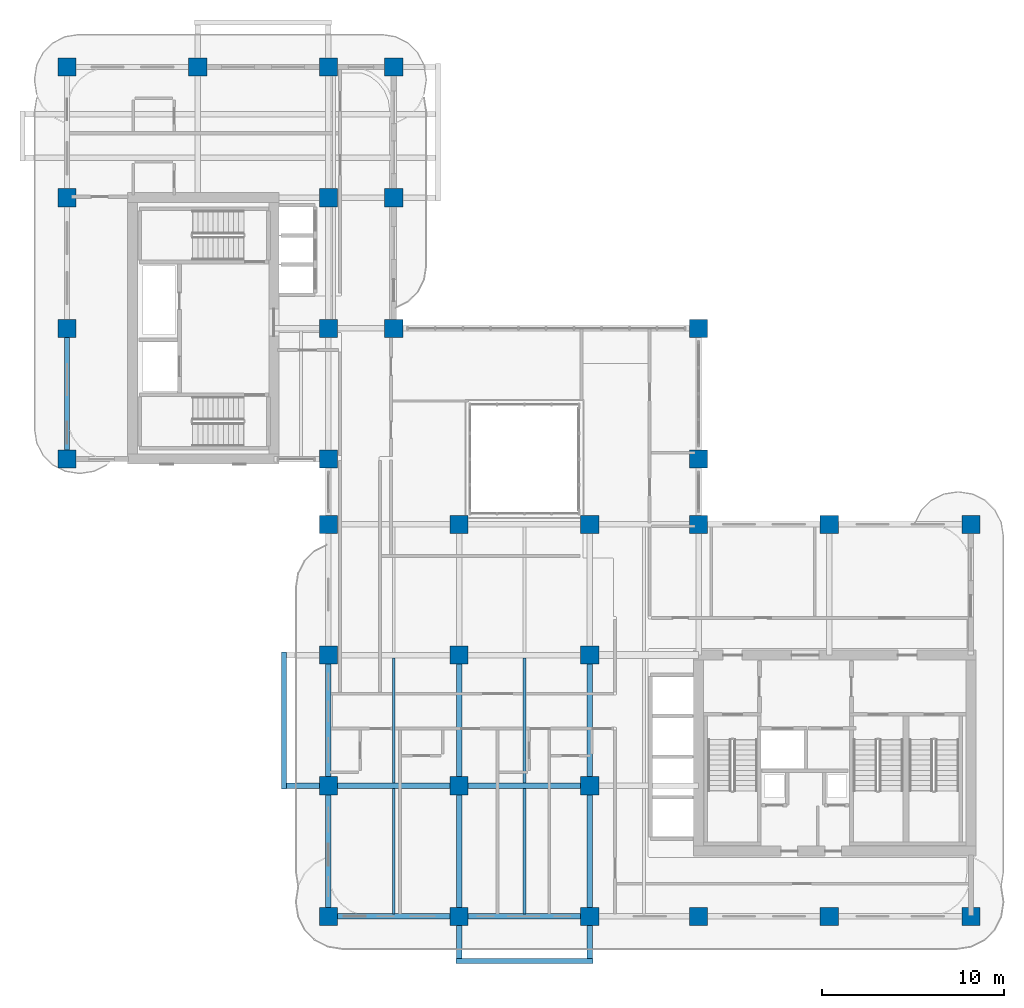
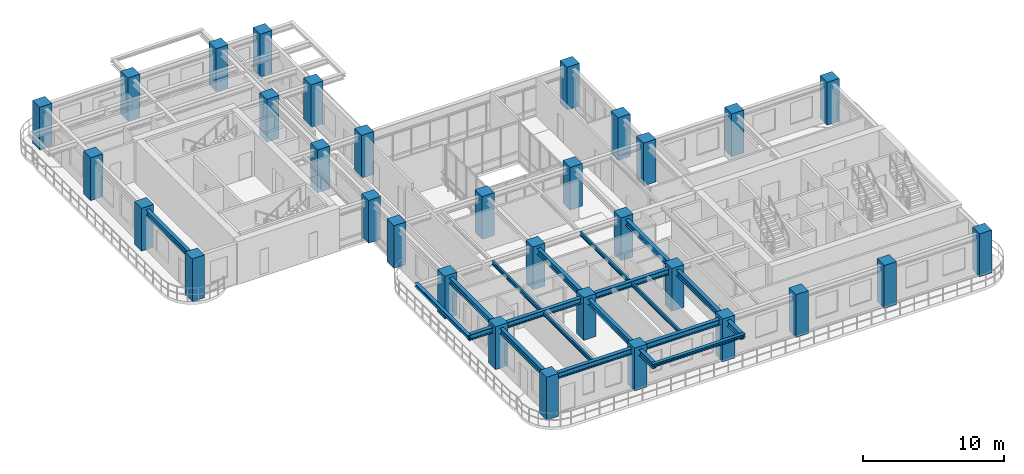
# One storey, part 1 of 20: 32 columns, 17 beams.
"""IFC4 building model written with IfcOpenShell, lengths in metres."""

from ifc_helpers import new_model, si_unit, derived_unit, direction, frame, origin, origin_2d, place, context, subcontext, project, spatial, rectangle, i_section, extrude, source, transform, mapped, material, material_profile, profile_set, type_object, type_shapes, element, save


model = new_model("IFC4")

# Units and contexts
model_context = context("Model", 3, precision=1e-05, world=origin(), true_north=direction((0.0, 1.0)))
body_context = subcontext(model_context, "Body", "Model", "MODEL_VIEW")
ifc_project = project(units=[si_unit("LENGTHUNIT", "METRE"), si_unit("AREAUNIT", "SQUARE_METRE"), si_unit("VOLUMEUNIT", "CUBIC_METRE"), si_unit("PLANEANGLEUNIT", "RADIAN"), si_unit("MASSUNIT", "GRAM", prefix="KILO"), si_unit("THERMODYNAMICTEMPERATUREUNIT", "KELVIN"), si_unit("POWERUNIT", "WATT"), derived_unit("THERMALTRANSMITTANCEUNIT", [(si_unit("POWERUNIT", "WATT"), 1), (si_unit("AREAUNIT", "SQUARE_METRE"), -1), (si_unit("THERMODYNAMICTEMPERATUREUNIT", "KELVIN"), -1)])], contexts=[model_context])

# Site, building, storey
site_placement = place(None, origin())
site = spatial("IfcSite", under=ifc_project, at=site_placement, CompositionType="ELEMENT")
building_placement = place(site_placement, origin())
building = spatial("IfcBuilding", under=site, at=building_placement, Name="Zahravan Archway Hotel and Residences", CompositionType="ELEMENT")
storey_placement = place(building_placement, frame((0.0, 0.0, 119.199951171875)))
storey = spatial("IfcBuildingStorey", under=building, at=storey_placement, Name="L29", CompositionType="ELEMENT", Elevation=119.199951171875)

# Columns
ifc_material_1 = material(Name="Concrete C60/75", Category="concrete")
ifc_material_profile_1 = material_profile(ifc_material_1, rectangle(XDim=1.0, YDim=1.0, at=origin_2d()), Name="RC-COL-1000x1000", Category="concrete")
ifc_profile_set_1 = profile_set([ifc_material_profile_1], Name="Concrete C60/75")
column_type = type_object("IfcColumnType", Name="COL-RC-1000", PredefinedType="COLUMN", material=ifc_profile_set_1)
shared_shape_1 = source(origin(), body_context, "Body", "SweptSolid", [
    extrude(rectangle(XDim=1.0, YDim=1.0, at=origin_2d()), origin(), (0.0, 0.0, 1.0), 3.699951171875),
])
type_shapes(column_type, [shared_shape_1])
for number, where, z_axis, x_axis, name in (
    (1, (0.0, 25.199951171875, 0.0), (0.0, 0.0, 1.0), (1.0, 0.0, 0.0), "L29 Column 1-E"),
    (2, (0.0, 32.39990234375, 0.0), (0.0, 0.0, 1.0), (1.0, 0.0, 0.0), "L29 Column 1-F"),
    (3, (0.0, 39.60009765625, 0.0), (0.0, 0.0, 1.0), (1.0, 0.0, 0.0), "L29 Column 1-G"),
    (4, (0.0, 46.800048828125, 0.0), (0.0, 0.0, 1.0), (1.0, 0.0, 0.0), "L29 Column 1-H"),
    (5, (7.199951171875, 46.800048828125, 0.0), (0.0, 0.0, 1.0), (1.0, 0.0, 0.0), "L29 Column 2-H"),
    (6, (14.39990234375, 0.0, 0.0), (0.0, 0.0, 1.0), (1.0, 0.0, 0.0), "L29 Column 3-A"),
    (7, (14.39990234375, 7.199951171875, 0.0), (0.0, 0.0, 1.0), (1.0, 0.0, 0.0), "L29 Column 3-B"),
    (8, (14.39990234375, 14.39990234375, 0.0), (0.0, 0.0, 1.0), (1.0, 0.0, 0.0), "L29 Column 3-C"),
    (9, (14.39990234375, 21.60009765625, 0.0), (0.0, 0.0, 1.0), (1.0, 0.0, 0.0), "L29 Column 3-D"),
    (10, (14.39990234375, 25.199951171875, 0.0), (0.0, 0.0, 1.0), (1.0, 0.0, 0.0), "L29 Column 3-E"),
    (11, (14.39990234375, 32.39990234375, 0.0), (0.0, 0.0, 1.0), (1.0, 0.0, 0.0), "L29 Column 3-F"),
    (12, (14.39990234375, 39.60009765625, 0.0), (0.0, 0.0, 1.0), (1.0, 0.0, 0.0), "L29 Column 3-G"),
    (13, (14.39990234375, 46.800048828125, 0.0), (0.0, 0.0, 1.0), (1.0, 0.0, 0.0), "L29 Column 3-H"),
    (14, (21.60009765625, 0.0, 0.0), (0.0, 0.0, 1.0), (1.0, 0.0, 0.0), "L29 Column 4-A"),
    (15, (21.60009765625, 7.199951171875, 0.0), (0.0, 0.0, 1.0), (1.0, 0.0, 0.0), "L29 Column 4-B"),
    (16, (21.60009765625, 14.39990234375, 0.0), (0.0, 0.0, 1.0), (1.0, 0.0, 0.0), "L29 Column 4-C"),
    (17, (21.60009765625, 21.60009765625, 0.0), (0.0, 0.0, 1.0), (1.0, 0.0, 0.0), "L29 Column 4-D"),
    (18, (28.800048828125, 0.0, 0.0), (0.0, 0.0, 1.0), (1.0, 0.0, 0.0), "L29 Column 5-A"),
    (19, (28.800048828125, 7.199951171875, 0.0), (0.0, 0.0, 1.0), (1.0, 0.0, 0.0), "L29 Column 5-B"),
    (20, (28.800048828125, 14.39990234375, 0.0), (0.0, 0.0, 1.0), (1.0, 0.0, 0.0), "L29 Column 5-C"),
    (21, (28.800048828125, 21.60009765625, 0.0), (0.0, 0.0, 1.0), (1.0, 0.0, 0.0), "L29 Column 5-D"),
    (22, (34.800048828125, 0.0, 0.0), (0.0, 0.0, 1.0), (1.0, 0.0, 0.0), "L29 Column 6-A"),
    (23, (34.800048828125, 21.60009765625, 0.0), (0.0, 0.0, 1.0), (1.0, 0.0, 0.0), "L29 Column 6-D"),
    (24, (34.800048828125, 25.199951171875, 0.0), (0.0, 0.0, 1.0), (1.0, 0.0, 0.0), "L29 Column 6-E"),
    (25, (34.800048828125, 32.39990234375, 0.0), (0.0, 0.0, 1.0), (1.0, 0.0, 0.0), "L29 Column 6-F"),
    (26, (42.0, 0.0, 0.0), (0.0, 0.0, 1.0), (1.0, 0.0, 0.0), "L29 Column 7-A"),
    (27, (42.0, 21.60009765625, 0.0), (0.0, 0.0, 1.0), (1.0, 0.0, 0.0), "L29 Column 7-D"),
    (28, (49.800048828125, 0.0, 0.0), (0.0, 0.0, 1.0), (1.0, 0.0, 0.0), "L29 Column 8-A"),
    (29, (49.800048828125, 21.60009765625, 0.0), (0.0, 0.0, 1.0), (1.0, 0.0, 0.0), "L29 Column 8-D"),
    (30, (18.0, 32.39990234375, 0.0), (0.0, 0.0, 1.0), (1.0, 0.0, 0.0), "L29 Column 3B-F"),
    (31, (18.0, 39.60009765625, 0.0), (0.0, 0.0, 1.0), (1.0, 0.0, 0.0), "L29 Column 3B-G"),
    (32, (18.0, 46.800048828125, 0.0), (0.0, 0.0, 1.0), (1.0, 0.0, 0.0), "L29 Column 3B-H"),
):
    element("IfcColumn", number, at=place(storey_placement, frame(where, z_axis=z_axis, x_axis=x_axis)), inside=storey, type_object=column_type, Name=name, PredefinedType="COLUMN", context=body_context, shape_type="MappedRepresentation", body=[
        mapped(shared_shape_1, transform((0.0, 0.0, 0.0), scale=1.0)),
    ])

# Beams
ifc_material_2 = material(Name="Structural Steel S355JR", Category="steel")
ifc_material_profile_2 = material_profile(ifc_material_2, i_section(OverallWidth=0.280029296875, OverallDepth=0.280029296875, WebThickness=0.010498046875, FlangeThickness=0.01806640625, FilletRadius=0.02392578125, at=origin_2d()), Name="HEB 280", Category="steel")
ifc_profile_set_2 = profile_set([ifc_material_profile_2], Name="Structural Steel S355JR")
beam_type_1 = type_object("IfcBeamType", Name="BM-SPN-HEB280", PredefinedType="SPANDREL", material=ifc_profile_set_2)
shared_shape_2 = source(origin(), body_context, "Body", "SweptSolid", [
    extrude(i_section(OverallWidth=0.280029296875, OverallDepth=0.280029296875, WebThickness=0.010498046875, FlangeThickness=0.01806640625, FilletRadius=0.02392578125, at=origin_2d()), origin(), (0.0, 0.0, 1.0), 7.56005859375),
])
type_shapes(beam_type_1, [shared_shape_2])
for number, where, z_axis, x_axis, name in (
    (33, (11.949951171875, 7.02001953125, 3.31005859375), (0.0, 1.0, 0.0), (-1.0, 0.0, 0.0), "L30 WA Balcony Edge Spandrel"),
    (34, (21.419921875, -2.449951171875, 3.31005859375), (1.0, 0.0, 0.0), (0.0, 1.0, 0.0), "L30 SA Balcony Edge Spandrel"),
):
    element("IfcBeam", number, at=place(storey_placement, frame(where, z_axis=z_axis, x_axis=x_axis)), inside=storey, type_object=beam_type_1, Name=name, PredefinedType="SPANDREL", context=body_context, shape_type="MappedRepresentation", body=[
        mapped(shared_shape_2, transform((0.0, 0.0, 0.0), scale=1.0)),
    ])
ifc_material_profile_3 = material_profile(ifc_material_2, i_section(OverallWidth=0.300048828125, OverallDepth=0.5, WebThickness=0.014404296875, FlangeThickness=0.028076171875, FilletRadius=0.027099609375, at=origin_2d()), Name="HEB 500", Category="steel")
ifc_profile_set_3 = profile_set([ifc_material_profile_3], Name="Structural Steel S355JR")
beam_type_2 = type_object("IfcBeamType", Name="BM-PRI-HEB500", PredefinedType="BEAM", material=ifc_profile_set_3)
shared_shape_3 = source(origin(), body_context, "Body", "SweptSolid", [
    extrude(i_section(OverallWidth=0.300048828125, OverallDepth=0.5, WebThickness=0.014404296875, FlangeThickness=0.028076171875, FilletRadius=0.027099609375, at=origin_2d()), origin(), (0.0, 0.0, 1.0), 7.2001953125),
])
type_shapes(beam_type_2, [shared_shape_3])
beam_1_placement = place(storey_placement, frame((14.39990234375, 0.0, 3.199951171875), z_axis=(1.0, 0.0, 0.0), x_axis=(0.0, 1.0, 0.0)))
element("IfcBeam", 35, at=beam_1_placement, inside=storey, type_object=beam_type_2, Name="L29 Primary Girder EW-01", PredefinedType="BEAM", context=body_context, shape_type="MappedRepresentation", body=[
    mapped(shared_shape_3, transform((0.0, 0.0, 0.0), scale=1.0)),
])
shared_shape_4 = source(origin(), body_context, "Body", "SweptSolid", [
    extrude(i_section(OverallWidth=0.300048828125, OverallDepth=0.5, WebThickness=0.014404296875, FlangeThickness=0.028076171875, FilletRadius=0.027099609375, at=origin_2d()), origin(), (0.0, 0.0, 1.0), 7.199951171875),
])
for number, where, z_axis, x_axis, name in (
    (36, (21.60009765625, 0.0, 3.199951171875), (1.0, 0.0, 0.0), (0.0, 1.0, 0.0), "L29 Primary Girder EW-02"),
    (37, (21.60009765625, 7.199951171875, 3.199951171875), (1.0, 0.0, 0.0), (0.0, 1.0, 0.0), "L29 Primary Girder EW-07"),
    (38, (0.0, 25.199951171875, 3.199951171875), (0.0, 1.0, 0.0), (-1.0, 0.0, 0.0), "L29 Primary Girder NS-24"),
    (39, (14.39990234375, 0.0, 3.199951171875), (0.0, 1.0, 0.0), (-1.0, 0.0, 0.0), "L29 Primary Girder NS-28"),
    (40, (14.39990234375, 7.199951171875, 3.199951171875), (0.0, 1.0, 0.0), (-1.0, 0.0, 0.0), "L29 Primary Girder NS-29"),
    (41, (21.60009765625, 7.199951171875, 3.199951171875), (0.0, 1.0, 0.0), (-1.0, 0.0, 0.0), "L29 Primary Girder NS-36"),
    (42, (28.800048828125, 7.199951171875, 3.199951171875), (0.0, 1.0, 0.0), (-1.0, 0.0, 0.0), "L29 Primary Girder NS-39"),
):
    element("IfcBeam", number, at=place(storey_placement, frame(where, z_axis=z_axis, x_axis=x_axis)), inside=storey, type_object=beam_type_2, Name=name, PredefinedType="BEAM", context=body_context, shape_type="MappedRepresentation", body=[
        mapped(shared_shape_4, transform((0.0, 0.0, 0.0), scale=1.0)),
    ])
shared_shape_5 = source(origin(), body_context, "Body", "SweptSolid", [
    extrude(i_section(OverallWidth=0.300048828125, OverallDepth=0.5, WebThickness=0.014404296875, FlangeThickness=0.028076171875, FilletRadius=0.027099609375, at=origin_2d()), origin(), (0.0, 0.0, 1.0), 9.650146484375),
])
beam_2_placement = place(storey_placement, frame((11.949951171875, 7.199951171875, 3.199951171875), z_axis=(1.0, 0.0, 0.0), x_axis=(0.0, 1.0, 0.0)))
element("IfcBeam", 43, at=beam_2_placement, inside=storey, type_object=beam_type_2, Name="L29 Primary Girder EW-06", PredefinedType="BEAM", context=body_context, shape_type="MappedRepresentation", body=[
    mapped(shared_shape_5, transform((0.0, 0.0, 0.0), scale=1.0)),
])
shared_shape_6 = source(origin(), body_context, "Body", "SweptSolid", [
    extrude(i_section(OverallWidth=0.300048828125, OverallDepth=0.5, WebThickness=0.014404296875, FlangeThickness=0.028076171875, FilletRadius=0.027099609375, at=origin_2d()), origin(), (0.0, 0.0, 1.0), 9.64990234375),
])
for number, where, z_axis, x_axis, name in (
    (44, (21.60009765625, -2.449951171875, 3.199951171875), (0.0, 1.0, 0.0), (-1.0, 0.0, 0.0), "L29 Primary Girder NS-35"),
    (45, (28.800048828125, -2.449951171875, 3.199951171875), (0.0, 1.0, 0.0), (-1.0, 0.0, 0.0), "L29 Primary Girder NS-38"),
):
    element("IfcBeam", number, at=place(storey_placement, frame(where, z_axis=z_axis, x_axis=x_axis)), inside=storey, type_object=beam_type_2, Name=name, PredefinedType="BEAM", context=body_context, shape_type="MappedRepresentation", body=[
        mapped(shared_shape_6, transform((0.0, 0.0, 0.0), scale=1.0)),
    ])
ifc_material_profile_4 = material_profile(ifc_material_2, i_section(OverallWidth=0.159912109375, OverallDepth=0.330078125, WebThickness=0.007568359375, FlangeThickness=0.011474609375, FilletRadius=0.01806640625, at=origin_2d()), Name="IPE 330", Category="steel")
ifc_profile_set_4 = profile_set([ifc_material_profile_4], Name="Structural Steel S355JR")
beam_type_3 = type_object("IfcBeamType", Name="BM-JST-IPE330", PredefinedType="JOIST", material=ifc_profile_set_4)
shared_shape_7 = source(origin(), body_context, "Body", "SweptSolid", [
    extrude(i_section(OverallWidth=0.159912109375, OverallDepth=0.330078125, WebThickness=0.007568359375, FlangeThickness=0.011474609375, FilletRadius=0.01806640625, at=origin_2d()), origin(), (0.0, 0.0, 1.0), 6.904052734375),
])
type_shapes(beam_type_3, [shared_shape_7])
for number, where, z_axis, x_axis, name in (
    (46, (18.0, 0.14794921875, 3.28515625), (0.0, 1.0, 0.0), (-1.0, 0.0, 0.0), "L29 Composite Floor Joist 01"),
    (47, (25.199951171875, 0.14794921875, 3.28515625), (0.0, 1.0, 0.0), (-1.0, 0.0, 0.0), "L29 Composite Floor Joist 02"),
    (48, (18.0, 7.347900390625, 3.28515625), (0.0, 1.0, 0.0), (-1.0, 0.0, 0.0), "L29 Composite Floor Joist 04"),
    (49, (25.199951171875, 7.347900390625, 3.28515625), (0.0, 1.0, 0.0), (-1.0, 0.0, 0.0), "L29 Composite Floor Joist 05"),
):
    element("IfcBeam", number, at=place(storey_placement, frame(where, z_axis=z_axis, x_axis=x_axis)), inside=storey, type_object=beam_type_3, Name=name, PredefinedType="JOIST", context=body_context, shape_type="MappedRepresentation", body=[
        mapped(shared_shape_7, transform((0.0, 0.0, 0.0), scale=1.0)),
    ])

save(model, "model.ifc")
